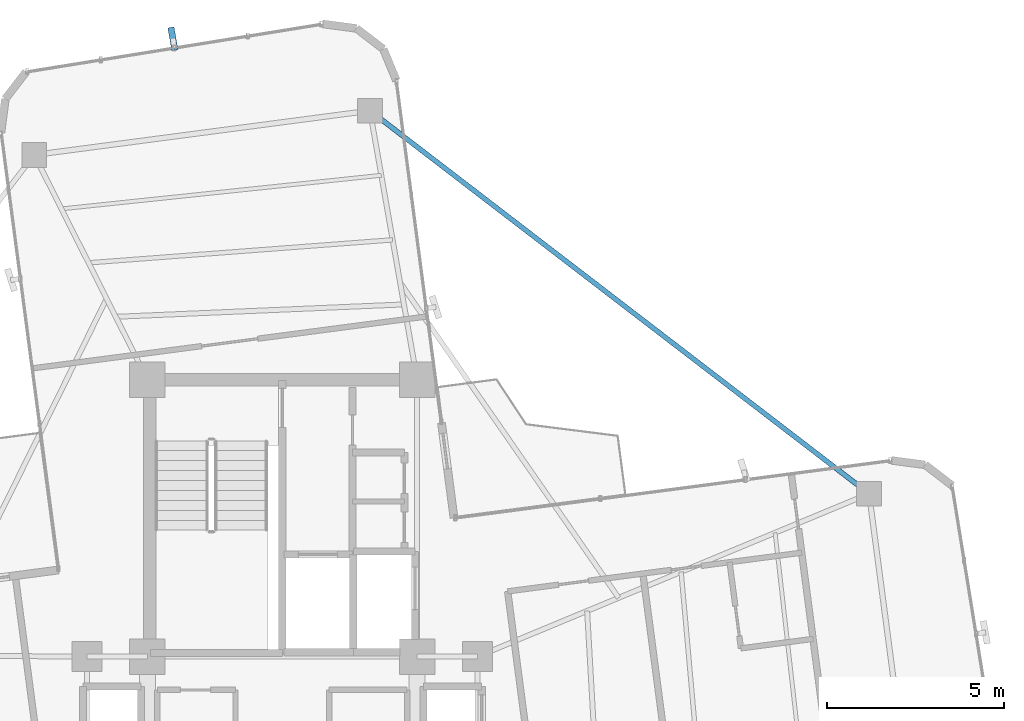
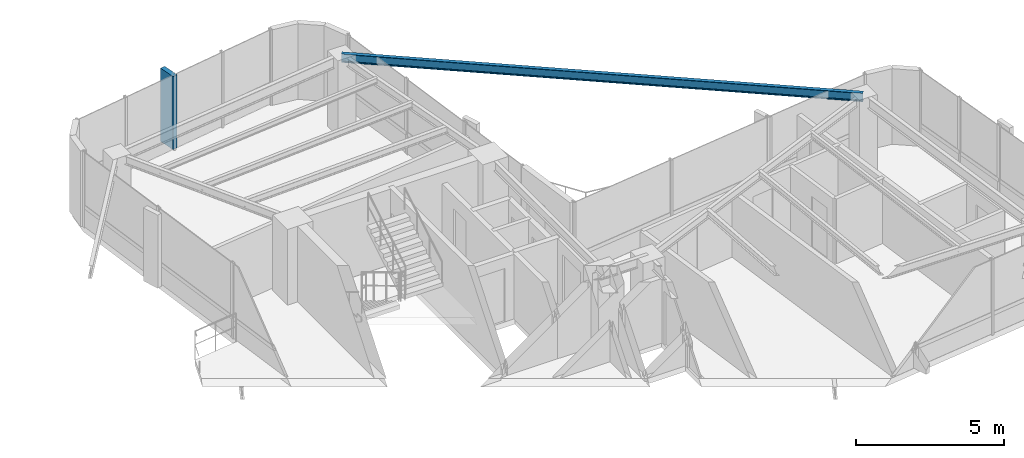
# One storey, part 15 of 22: 1 beam, 1 member, 1 element without a shape of its own.
"""IFC4 building model written with IfcOpenShell, lengths in metres."""

from ifc_helpers import new_model, si_unit, direction, frame, origin, origin_2d, place, context, subcontext, project, spatial, rectangle, i_section, extrude, source, transform, mapped, material, material_profile, profile_set, type_object, element, aggregate, save


model = new_model("IFC4")

# Units and contexts
model_context = context("Model", 3, precision=1e-05, world=origin(), true_north=direction((0.0, 1.0)))
body_context = subcontext(model_context, "Body", "Model", "MODEL_VIEW")
ifc_project = project(units=[si_unit("LENGTHUNIT", "METRE"), si_unit("AREAUNIT", "SQUARE_METRE"), si_unit("VOLUMEUNIT", "CUBIC_METRE"), si_unit("PLANEANGLEUNIT", "RADIAN"), si_unit("MASSUNIT", "GRAM", prefix="KILO")], contexts=[model_context])

# Site, building, storey
site_placement = place(None, origin())
site = spatial("IfcSite", under=ifc_project, at=site_placement, CompositionType="ELEMENT")
building_placement = place(site_placement, origin())
building = spatial("IfcBuilding", under=site, at=building_placement, Name="Sahyath Konkavel Grand Hotel", CompositionType="ELEMENT")
storey_placement = place(building_placement, frame((0.0, 0.0, 241.14990234375)))
storey = spatial("IfcBuildingStorey", under=building, at=storey_placement, Name="L67", CompositionType="ELEMENT", Elevation=241.14990234375)

# Beam
ifc_material_1 = material(Name="Steel E350", Category="steel")
ifc_material_profile_1 = material_profile(ifc_material_1, i_section(OverallWidth=0.139892578125, OverallDepth=0.35009765625, WebThickness=0.008056640625, FlangeThickness=0.01416015625, FilletRadius=0.013916015625, at=origin_2d()), Name="ISMB 350")
ifc_profile_set_1 = profile_set([ifc_material_profile_1], Name="Steel E350")
beam_type = type_object("IfcBeamType", Name="BM-ISMB350", PredefinedType="BEAM", material=ifc_profile_set_1)
shared_shape_1 = source(origin(), body_context, "Body", "SweptSolid", [
    extrude(i_section(OverallWidth=0.139892578125, OverallDepth=0.35009765625, WebThickness=0.008056640625, FlangeThickness=0.01416015625, FilletRadius=0.013916015625, at=origin_2d()), origin(), (0.0, 0.0, 1.0), 17.728515625),
])
beam_placement = place(storey_placement, frame((16.5361328125, 6.9892578125, 2.93505859375), z_axis=(-0.79335139674, 0.608763961886, 0.0), x_axis=(-0.608763961886, -0.79335139674, 0.0)))
element("IfcBeam", 1, at=beam_placement, inside=storey, type_object=beam_type, Name="L67 Re-Entrant Tie Beam NE", PredefinedType="BEAM", context=body_context, shape_type="MappedRepresentation", body=[
    mapped(shared_shape_1, transform((0.0, 0.0, 0.0), scale=1.0)),
])

# Curtain wall, member
ifc_material_2 = material(Name="Anodised Bronze Aluminium & Low-E Glazing", Category="aluminium")
curtain_wall_type = type_object("IfcCurtainWallType", Name="CW-ZONE4", PredefinedType="NOTDEFINED", material=ifc_material_2)
curtain_wall_placement = place(storey_placement, origin())
curtain_wall = element("IfcCurtainWall", 2, at=curtain_wall_placement, inside=storey, type_object=curtain_wall_type, Name="L67 Unitised Curtain Wall F12", PredefinedType="NOTDEFINED")
ifc_material_3 = material(Name="Warm Buff Sandstone Cladding on Concrete C50/60", Category="masonry")
ifc_material_profile_2 = material_profile(ifc_material_3, rectangle(XDim=0.179931640625, YDim=0.64990234375, at=origin_2d()), Name="FIN 180x650")
ifc_profile_set_2 = profile_set([ifc_material_profile_2], Name="Warm Buff Sandstone Cladding on Concrete C50/60")
member_type = type_object("IfcMemberType", Name="FIN-SANDSTONE-650", PredefinedType="MULLION", material=ifc_profile_set_2)
shared_shape_2 = source(origin(), body_context, "Body", "SweptSolid", [
    extrude(rectangle(XDim=0.179931640625, YDim=0.64990234375, at=origin_2d()), origin(), (0.0, 0.0, 1.0), 3.010009765625),
])
member_placement = place(storey_placement, frame((-3.082275390625, 19.81005859375, 0.050048828125), z_axis=(0.0, 0.0, 1.0), x_axis=(0.984441905461, 0.175710371841, 0.0)))
member = element("IfcMember", 3, at=member_placement, type_object=member_type, Name="L67 Sandstone Vertical Solar Fin FIN F12-2", PredefinedType="MULLION", context=body_context, shape_type="MappedRepresentation", body=[
    mapped(shared_shape_2, transform((0.0, 0.0, 0.0), scale=1.0)),
])
aggregate(curtain_wall, [member])

save(model, "model.ifc")
